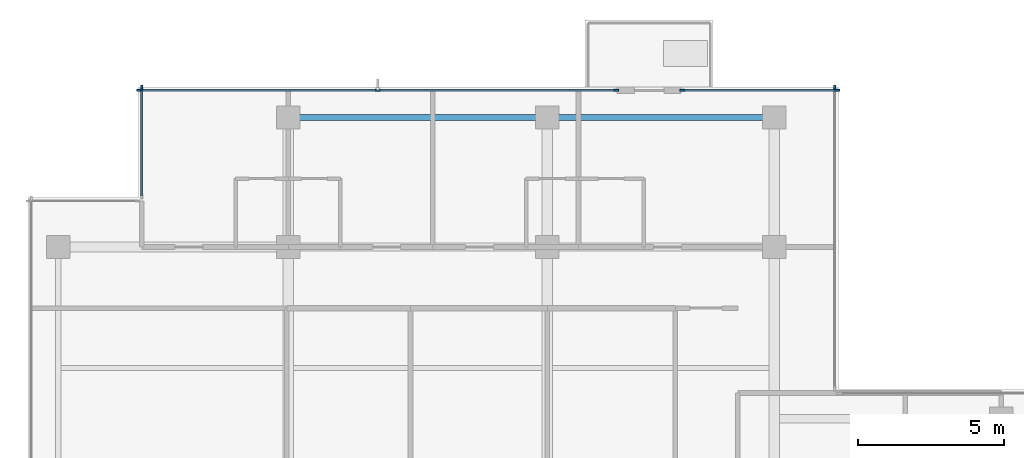
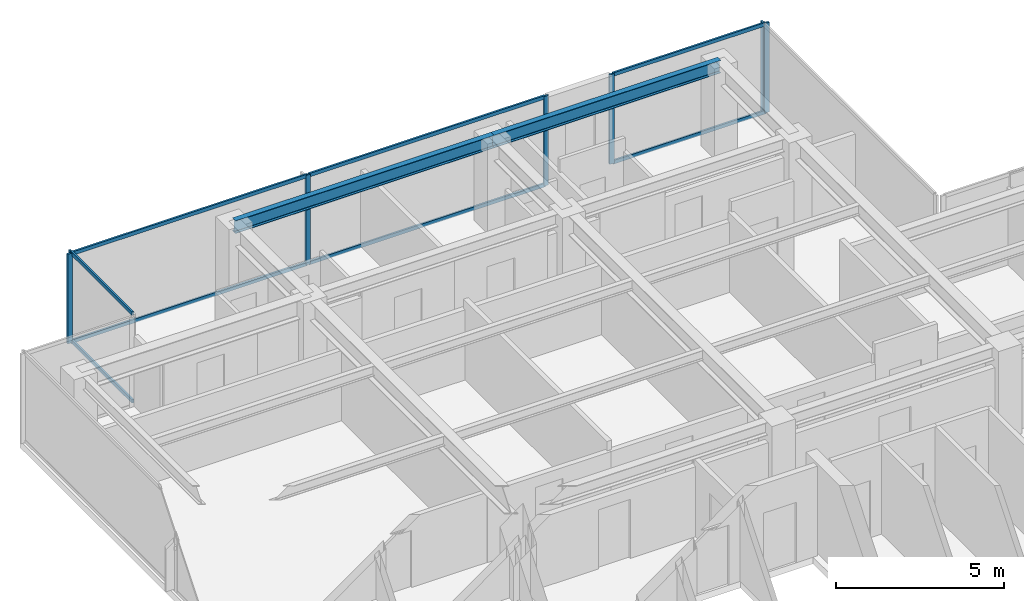
# One storey, part 4 of 12: 15 members, 2 beams, 4 elements without a shape of their own.
"""IFC4 building model written with IfcOpenShell, lengths in metres."""

from ifc_helpers import new_model, si_unit, direction, frame, origin, origin_2d, place, context, subcontext, project, spatial, rectangle, i_section, extrude, material, layer, layer_set, material_profile, profile_set, type_object, element, aggregate, save


model = new_model("IFC4")

# Units and contexts
model_context = context("Model", 3, precision=1e-05, world=origin(), true_north=direction((0.0, 1.0)))
body_context = subcontext(model_context, "Body", "Model", "MODEL_VIEW")
ifc_project = project(units=[si_unit("LENGTHUNIT", "METRE"), si_unit("AREAUNIT", "SQUARE_METRE"), si_unit("VOLUMEUNIT", "CUBIC_METRE"), si_unit("PLANEANGLEUNIT", "RADIAN"), si_unit("MASSUNIT", "GRAM", prefix="KILO")], contexts=[model_context])

# Site, building, storey
site_placement = place(None, origin())
site = spatial("IfcSite", under=ifc_project, at=site_placement, CompositionType="ELEMENT")
building_placement = place(site_placement, origin())
building = spatial("IfcBuilding", under=site, at=building_placement, Name="Qalmaran Belvedere Hotel", CompositionType="ELEMENT")
storey_placement = place(building_placement, frame((0.0, 0.0, 252.89990234375)))
storey = spatial("IfcBuildingStorey", under=building, at=storey_placement, Name="L65", CompositionType="ELEMENT", Elevation=252.89990234375)

# Beams
ifc_material_1 = material(Name="Steel S355JR", Category="steel")
ifc_material_profile_1 = material_profile(ifc_material_1, i_section(OverallWidth=0.19189453125, OverallDepth=0.462890625, WebThickness=0.010498046875, FlangeThickness=0.017578125, FilletRadius=0.01611328125, at=origin_2d()), Name="W460X89")
ifc_profile_set_1 = profile_set([ifc_material_profile_1], Name="Steel S355JR")
beam_type = type_object("IfcBeamType", Name="BM-SP2-W460X89", PredefinedType="SPANDREL", material=ifc_profile_set_1)
beam_1_placement = place(storey_placement, frame((20.300048828125, 37.449951171875, 3.028564453125), z_axis=(1.0, 0.0, 0.0), x_axis=(0.0, 1.0, 0.0)))
element("IfcBeam", 1, at=beam_1_placement, inside=storey, type_object=beam_type, Name="L65 Perimeter Spandrel 04", PredefinedType="SPANDREL", context=body_context, shape_type="SweptSolid", body=[
    extrude(i_section(OverallWidth=0.19189453125, OverallDepth=0.462890625, WebThickness=0.010498046875, FlangeThickness=0.017578125, FilletRadius=0.01611328125, at=origin_2d()), origin(), (0.0, 0.0, 1.0), 8.89990234375),
])
beam_2_placement = place(storey_placement, frame((29.199951171875, 37.449951171875, 3.028564453125), z_axis=(1.0, 0.0, 0.0), x_axis=(0.0, 1.0, 0.0)))
element("IfcBeam", 2, at=beam_2_placement, inside=storey, type_object=beam_type, Name="L65 Perimeter Spandrel 05", PredefinedType="SPANDREL", context=body_context, shape_type="SweptSolid", body=[
    extrude(i_section(OverallWidth=0.19189453125, OverallDepth=0.462890625, WebThickness=0.010498046875, FlangeThickness=0.017578125, FilletRadius=0.01611328125, at=origin_2d()), origin(), (0.0, 0.0, 1.0), 7.800048828125),
])

# Curtain wall, member
ifc_material_2 = material(Name="Anodised Bronze Aluminium", Category="aluminium")
ifc_layer = layer(ifc_material_2, 0.18505859375, Name="Anodised Bronze Aluminium")
ifc_layer_set = layer_set([ifc_layer], Name="Anodised Bronze Aluminium")
curtain_wall_type = type_object("IfcCurtainWallType", Name="CW6-TOWER-SKY", PredefinedType="NOTDEFINED", material=ifc_layer_set)
curtain_wall_1_placement = place(storey_placement, origin())
curtain_wall_1 = element("IfcCurtainWall", 3, at=curtain_wall_1_placement, inside=storey, type_object=curtain_wall_type, Name="L65 Curtain Wall CW6", PredefinedType="NOTDEFINED")
ifc_material_profile_2 = material_profile(ifc_material_2, rectangle(XDim=0.06494140625, YDim=0.1650390625, at=origin_2d()), Name="CWM65X165")
ifc_profile_set_2 = profile_set([ifc_material_profile_2], Name="Anodised Bronze Aluminium")
member_type_1 = type_object("IfcMemberType", Name="CWM-65X165", PredefinedType="MULLION", material=ifc_profile_set_2)
member_1_placement = place(storey_placement, frame((39.080078125, 38.467529296875, 0.0), z_axis=(0.0, 0.0, 1.0), x_axis=(-1.0, 0.0, 0.0)))
member_1 = element("IfcMember", 4, at=member_1_placement, type_object=member_type_1, Name="CW6 mullion 2", PredefinedType="MULLION", context=body_context, shape_type="SweptSolid", body=[
    extrude(rectangle(XDim=0.06494140625, YDim=0.1650390625, at=origin_2d()), origin(), (0.0, 0.0, 1.0), 3.260009765625),
])
aggregate(curtain_wall_1, [member_1])

# Curtain wall, members
curtain_wall_2_placement = place(storey_placement, origin())
curtain_wall_2 = element("IfcCurtainWall", 5, at=curtain_wall_2_placement, inside=storey, type_object=curtain_wall_type, Name="L65 Curtain Wall CW6", PredefinedType="NOTDEFINED")
member_2_placement = place(storey_placement, frame((31.5673828125, 38.3798828125, 0.0), z_axis=(0.0, 0.0, 1.0), x_axis=(0.0, -1.0, 0.0)))
member_2 = element("IfcMember", 6, at=member_2_placement, type_object=member_type_1, Name="CW6 mullion 1", PredefinedType="MULLION", context=body_context, shape_type="SweptSolid", body=[
    extrude(rectangle(XDim=0.06494140625, YDim=0.1650390625, at=origin_2d()), origin(), (0.0, 0.0, 1.0), 3.260009765625),
])
member_3_placement = place(storey_placement, frame((23.375, 38.3798828125, 0.0), z_axis=(0.0, 0.0, 1.0), x_axis=(0.0, -1.0, 0.0)))
member_3 = element("IfcMember", 7, at=member_3_placement, type_object=member_type_1, Name="CW6 mullion 2", PredefinedType="MULLION", context=body_context, shape_type="SweptSolid", body=[
    extrude(rectangle(XDim=0.06494140625, YDim=0.1650390625, at=origin_2d()), origin(), (0.0, 0.0, 1.0), 3.260009765625),
])
member_4_placement = place(storey_placement, frame((15.1826171875, 38.3798828125, 0.0), z_axis=(0.0, 0.0, 1.0), x_axis=(0.0, -1.0, 0.0)))
member_4 = element("IfcMember", 8, at=member_4_placement, type_object=member_type_1, Name="CW6 mullion 3", PredefinedType="MULLION", context=body_context, shape_type="SweptSolid", body=[
    extrude(rectangle(XDim=0.06494140625, YDim=0.1650390625, at=origin_2d()), origin(), (0.0, 0.0, 1.0), 3.260009765625),
])

curtain_wall_3_placement = place(storey_placement, origin())
curtain_wall_3 = element("IfcCurtainWall", 9, at=curtain_wall_3_placement, inside=storey, type_object=curtain_wall_type, Name="L65 Curtain Wall CW6", PredefinedType="NOTDEFINED")
member_5_placement = place(storey_placement, frame((39.16748046875, 38.3798828125, 0.0), z_axis=(0.0, 0.0, 1.0), x_axis=(0.0, -1.0, 0.0)))
member_5 = element("IfcMember", 10, at=member_5_placement, type_object=member_type_1, Name="CW6 mullion 1", PredefinedType="MULLION", context=body_context, shape_type="SweptSolid", body=[
    extrude(rectangle(XDim=0.06494140625, YDim=0.1650390625, at=origin_2d()), origin(), (0.0, 0.0, 1.0), 3.260009765625),
])
member_6_placement = place(storey_placement, frame((33.83251953125, 38.3798828125, 0.0), z_axis=(0.0, 0.0, 1.0), x_axis=(0.0, -1.0, 0.0)))
member_6 = element("IfcMember", 11, at=member_6_placement, type_object=member_type_1, Name="CW6 mullion 2", PredefinedType="MULLION", context=body_context, shape_type="SweptSolid", body=[
    extrude(rectangle(XDim=0.06494140625, YDim=0.1650390625, at=origin_2d()), origin(), (0.0, 0.0, 1.0), 3.260009765625),
])

# Curtain wall, member
curtain_wall_4_placement = place(storey_placement, origin())
curtain_wall_4 = element("IfcCurtainWall", 12, at=curtain_wall_4_placement, inside=storey, type_object=curtain_wall_type, Name="L65 Curtain Wall CW6", PredefinedType="NOTDEFINED")
member_7_placement = place(storey_placement, frame((15.27001953125, 38.467529296875, 0.0), z_axis=(0.0, 0.0, 1.0), x_axis=(1.0, 0.0, 0.0)))
member_7 = element("IfcMember", 13, at=member_7_placement, type_object=member_type_1, Name="CW6 mullion 1", PredefinedType="MULLION", context=body_context, shape_type="SweptSolid", body=[
    extrude(rectangle(XDim=0.06494140625, YDim=0.1650390625, at=origin_2d()), origin(), (0.0, 0.0, 1.0), 3.260009765625),
])

# Member
ifc_material_profile_3 = material_profile(ifc_material_2, rectangle(XDim=0.06494140625, YDim=0.1298828125, at=origin_2d()), Name="CWT65X130")
ifc_profile_set_3 = profile_set([ifc_material_profile_3], Name="Anodised Bronze Aluminium")
member_type_2 = type_object("IfcMemberType", Name="CWT-65X130", PredefinedType="USERDEFINED", material=ifc_profile_set_3)
member_8_placement = place(storey_placement, frame((31.534912109375, 38.3798828125, 0.03271484375), z_axis=(-1.0, 0.0, 0.0), x_axis=(0.0, -1.0, 0.0)))
member_8 = element("IfcMember", 14, at=member_8_placement, type_object=member_type_2, Name="CW6 transom 1.1", ObjectType="TRANSOM", PredefinedType="USERDEFINED", context=body_context, shape_type="SweptSolid", body=[
    extrude(rectangle(XDim=0.06494140625, YDim=0.1298828125, at=origin_2d()), origin(), (0.0, 0.0, 1.0), 8.12744140625),
])

member_9_placement = place(storey_placement, frame((31.534912109375, 38.3798828125, 3.2275390625), z_axis=(-1.0, 0.0, 0.0), x_axis=(0.0, -1.0, 0.0)))
member_9 = element("IfcMember", 15, at=member_9_placement, type_object=member_type_2, Name="CW6 transom 1.2", ObjectType="TRANSOM", PredefinedType="USERDEFINED", context=body_context, shape_type="SweptSolid", body=[
    extrude(rectangle(XDim=0.06494140625, YDim=0.1298828125, at=origin_2d()), origin(), (0.0, 0.0, 1.0), 8.12744140625),
])

member_10_placement = place(storey_placement, frame((23.342529296875, 38.3798828125, 0.03271484375), z_axis=(-1.0, 0.0, 0.0), x_axis=(0.0, -1.0, 0.0)))
member_10 = element("IfcMember", 16, at=member_10_placement, type_object=member_type_2, Name="CW6 transom 2.1", ObjectType="TRANSOM", PredefinedType="USERDEFINED", context=body_context, shape_type="SweptSolid", body=[
    extrude(rectangle(XDim=0.06494140625, YDim=0.1298828125, at=origin_2d()), origin(), (0.0, 0.0, 1.0), 8.12744140625),
])

member_11_placement = place(storey_placement, frame((23.342529296875, 38.3798828125, 3.2275390625), z_axis=(-1.0, 0.0, 0.0), x_axis=(0.0, -1.0, 0.0)))
member_11 = element("IfcMember", 17, at=member_11_placement, type_object=member_type_2, Name="CW6 transom 2.2", ObjectType="TRANSOM", PredefinedType="USERDEFINED", context=body_context, shape_type="SweptSolid", body=[
    extrude(rectangle(XDim=0.06494140625, YDim=0.1298828125, at=origin_2d()), origin(), (0.0, 0.0, 1.0), 8.12744140625),
])

aggregate(curtain_wall_2, [member_2, member_3, member_4, member_8, member_9, member_10, member_11])

member_12_placement = place(storey_placement, frame((39.135009765625, 38.3798828125, 0.03271484375), z_axis=(-1.0, 0.0, 0.0), x_axis=(0.0, -1.0, 0.0)))
member_12 = element("IfcMember", 18, at=member_12_placement, type_object=member_type_2, Name="CW6 transom 1.1", ObjectType="TRANSOM", PredefinedType="USERDEFINED", context=body_context, shape_type="SweptSolid", body=[
    extrude(rectangle(XDim=0.06494140625, YDim=0.1298828125, at=origin_2d()), origin(), (0.0, 0.0, 1.0), 5.27001953125),
])

member_13_placement = place(storey_placement, frame((39.135009765625, 38.3798828125, 3.2275390625), z_axis=(-1.0, 0.0, 0.0), x_axis=(0.0, -1.0, 0.0)))
member_13 = element("IfcMember", 19, at=member_13_placement, type_object=member_type_2, Name="CW6 transom 1.2", ObjectType="TRANSOM", PredefinedType="USERDEFINED", context=body_context, shape_type="SweptSolid", body=[
    extrude(rectangle(XDim=0.06494140625, YDim=0.1298828125, at=origin_2d()), origin(), (0.0, 0.0, 1.0), 5.27001953125),
])

aggregate(curtain_wall_3, [member_5, member_6, member_12, member_13])

member_14_placement = place(storey_placement, frame((15.27001953125, 38.43505859375, 0.03271484375), z_axis=(0.0, -1.0, 0.0), x_axis=(1.0, 0.0, 0.0)))
member_14 = element("IfcMember", 20, at=member_14_placement, type_object=member_type_2, Name="CW6 transom 1.1", ObjectType="TRANSOM", PredefinedType="USERDEFINED", context=body_context, shape_type="SweptSolid", body=[
    extrude(rectangle(XDim=0.06494140625, YDim=0.1298828125, at=origin_2d()), origin(), (0.0, 0.0, 1.0), 3.670166015625),
])

member_15_placement = place(storey_placement, frame((15.27001953125, 38.43505859375, 3.2275390625), z_axis=(0.0, -1.0, 0.0), x_axis=(1.0, 0.0, 0.0)))
member_15 = element("IfcMember", 21, at=member_15_placement, type_object=member_type_2, Name="CW6 transom 1.2", ObjectType="TRANSOM", PredefinedType="USERDEFINED", context=body_context, shape_type="SweptSolid", body=[
    extrude(rectangle(XDim=0.06494140625, YDim=0.1298828125, at=origin_2d()), origin(), (0.0, 0.0, 1.0), 3.670166015625),
])

aggregate(curtain_wall_4, [member_7, member_14, member_15])

save(model, "model.ifc")
